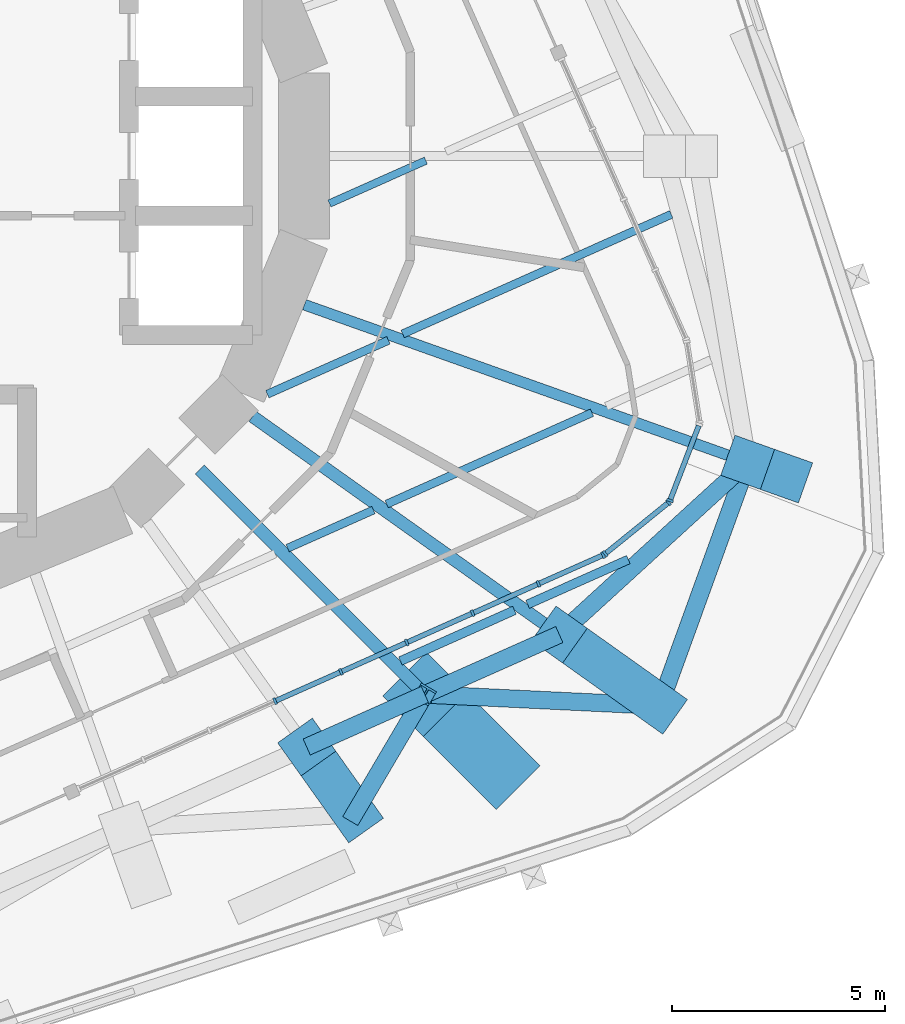
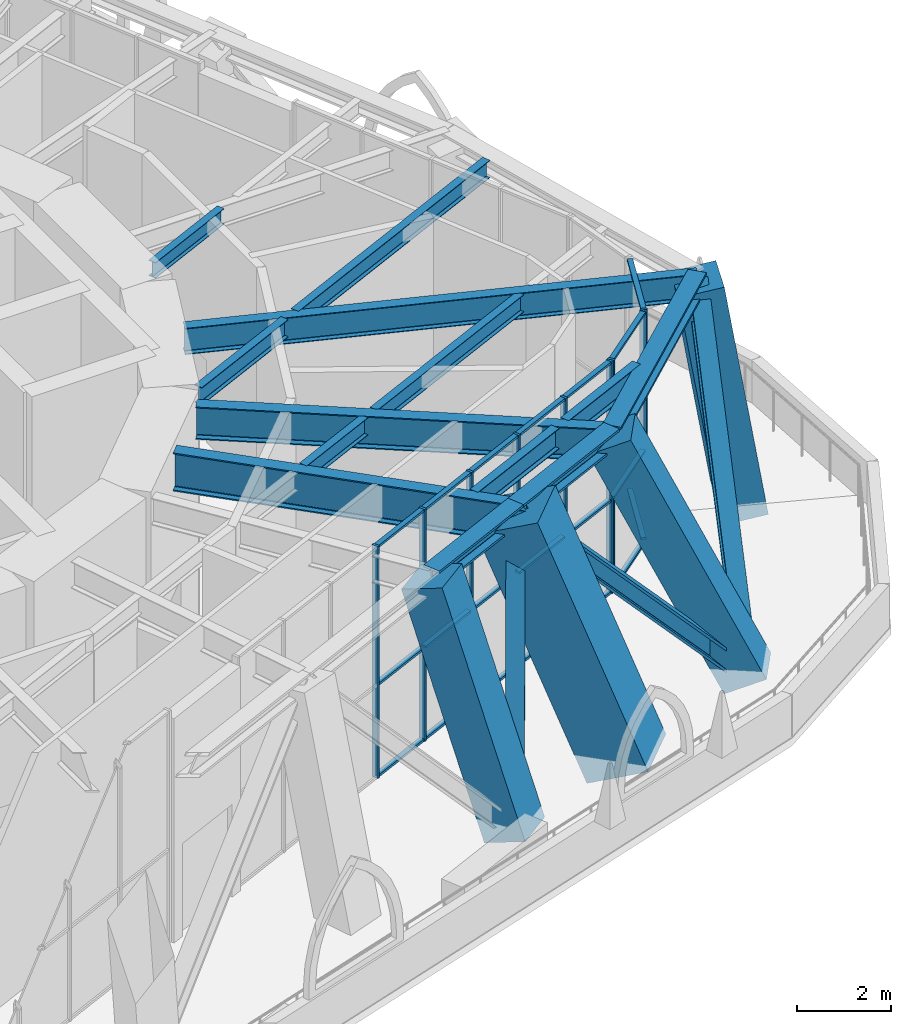
# One storey, part 5 of 18: 40 members, 10 beams, 3 elements without a shape of their own.
"""IFC4 building model written with IfcOpenShell, lengths in metres."""

from ifc_helpers import new_model, si_unit, direction, frame, origin, origin_2d, place, context, subcontext, project, spatial, rectangle, i_section, extrude, material, material_profile, profile_set, type_object, element, aggregate, save


model = new_model("IFC4")

# Units and contexts
model_context = context("Model", 3, precision=1e-05, world=origin(), true_north=direction((0.0, 1.0)))
body_context = subcontext(model_context, "Body", "Model", "MODEL_VIEW")
ifc_project = project(units=[si_unit("LENGTHUNIT", "METRE"), si_unit("AREAUNIT", "SQUARE_METRE"), si_unit("VOLUMEUNIT", "CUBIC_METRE"), si_unit("PLANEANGLEUNIT", "RADIAN"), si_unit("MASSUNIT", "GRAM", prefix="KILO")], contexts=[model_context])

# Site, building, storey
site_placement = place(None, origin())
site = spatial("IfcSite", under=ifc_project, at=site_placement, CompositionType="ELEMENT")
building_placement = place(site_placement, origin())
building = spatial("IfcBuilding", under=site, at=building_placement, Name="Nakasero Lantern House", CompositionType="ELEMENT")
storey_placement = place(building_placement, frame((0.0, 0.0, 176.449951171875)))
storey = spatial("IfcBuildingStorey", under=building, at=storey_placement, Name="L43", CompositionType="ELEMENT", Elevation=176.449951171875)

# Members
ifc_material_1 = material(Name="Steel S355", Category="steel")
ifc_material_profile_1 = material_profile(ifc_material_1, i_section(OverallWidth=0.412109375, OverallDepth=0.4365234375, WebThickness=0.035888671875, FlangeThickness=0.05810546875, FilletRadius=0.01513671875, at=origin_2d()), Name="UC 356x406x467")
ifc_profile_set_1 = profile_set([ifc_material_profile_1], Name="Steel S355")
member_type_1 = type_object("IfcMemberType", Name="Belt truss chord UC 356x406x467", PredefinedType="CHORD", material=ifc_profile_set_1)
member_1_placement = place(storey_placement, frame((15.808837890625, -11.241943359375, 5.581787109375), z_axis=(0.73802707447, 0.674771099966, 0.0), x_axis=(-0.674771099966, 0.73802707447, 0.0)))
element("IfcMember", 1, at=member_1_placement, inside=storey, type_object=member_type_1, Name="Belt truss top chord T4 B5-C01T", PredefinedType="CHORD", context=body_context, shape_type="SweptSolid", body=[
    extrude(i_section(OverallWidth=0.412109375, OverallDepth=0.4365234375, WebThickness=0.035888671875, FlangeThickness=0.05810546875, FilletRadius=0.01513671875, at=origin_2d()), origin(), (0.0, 0.0, 1.0), 5.997802734375),
])
member_2_placement = place(storey_placement, frame((9.87353515625, -13.884521484375, 5.581787109375), z_axis=(0.913556197925, 0.40671251915, 0.0), x_axis=(-0.40671251915, 0.913556197925, 0.0)))
element("IfcMember", 2, at=member_2_placement, inside=storey, type_object=member_type_1, Name="Belt truss top chord T4 B5-C23T", PredefinedType="CHORD", context=body_context, shape_type="SweptSolid", body=[
    extrude(i_section(OverallWidth=0.412109375, OverallDepth=0.4365234375, WebThickness=0.035888671875, FlangeThickness=0.05810546875, FilletRadius=0.01513671875, at=origin_2d()), origin(), (0.0, 0.0, 1.0), 3.0380859375),
])
member_3_placement = place(storey_placement, frame((12.64892578125, -12.64892578125, 5.581787109375), z_axis=(0.913534832457, 0.406760506795, 0.0), x_axis=(-0.406760506795, 0.913534832457, 0.0)))
element("IfcMember", 3, at=member_3_placement, inside=storey, type_object=member_type_1, Name="Belt truss top chord T4 B5-C24T", PredefinedType="CHORD", context=body_context, shape_type="SweptSolid", body=[
    extrude(i_section(OverallWidth=0.412109375, OverallDepth=0.4365234375, WebThickness=0.035888671875, FlangeThickness=0.05810546875, FilletRadius=0.01513671875, at=origin_2d()), origin(), (0.0, 0.0, 1.0), 3.458984375),
])
ifc_material_2 = material(Name="Steel S355", Category="steel")
ifc_material_profile_2 = material_profile(ifc_material_2, i_section(OverallWidth=0.412109375, OverallDepth=0.4365234375, WebThickness=0.035888671875, FlangeThickness=0.05810546875, FilletRadius=0.01513671875, at=origin_2d()), Name="UC 356x406x467")
ifc_profile_set_2 = profile_set([ifc_material_profile_2], Name="Steel S355")
member_type_2 = type_object("IfcMemberType", Name="Belt truss diagonal UC 356x406x467", PredefinedType="BRACE", material=ifc_profile_set_2)
member_4_placement = place(storey_placement, frame((18.1630859375, -12.916015625, -0.418212890625), z_axis=(0.242496640915, 0.669494142696, 0.702120340142), x_axis=(-0.940223769819, 0.340557282505, 0.0)))
element("IfcMember", 4, at=member_4_placement, inside=storey, type_object=member_type_2, Name="Belt truss diagonal T4-01", PredefinedType="BRACE", context=body_context, shape_type="SweptSolid", body=[
    extrude(i_section(OverallWidth=0.412109375, OverallDepth=0.4365234375, WebThickness=0.035888671875, FlangeThickness=0.05810546875, FilletRadius=0.01513671875, at=origin_2d()), origin(), (0.0, 0.0, 1.0), 8.545654296875),
])
member_5_placement = place(storey_placement, frame((10.993408203125, -15.45947265625, -0.418212890625), z_axis=(0.242412457526, 0.411539921993, 0.878561946047), x_axis=(-0.861631982797, 0.507533571521, 0.0)))
element("IfcMember", 5, at=member_5_placement, inside=storey, type_object=member_type_2, Name="Belt truss diagonal T4-23", PredefinedType="BRACE", context=body_context, shape_type="SweptSolid", body=[
    extrude(i_section(OverallWidth=0.412109375, OverallDepth=0.4365234375, WebThickness=0.035888671875, FlangeThickness=0.05810546875, FilletRadius=0.01513671875, at=origin_2d()), origin(), (0.0, 0.0, 1.0), 6.829345703125),
])
member_6_placement = place(storey_placement, frame((12.64892578125, -12.64892578125, 5.581787109375), z_axis=(0.676305146581, -0.032758249817, -0.735892822208), x_axis=(0.048380364344, 0.998828984534, 0.0)))
element("IfcMember", 6, at=member_6_placement, inside=storey, type_object=member_type_2, Name="Belt truss diagonal T4-24", PredefinedType="BRACE", context=body_context, shape_type="SweptSolid", body=[
    extrude(i_section(OverallWidth=0.412109375, OverallDepth=0.4365234375, WebThickness=0.035888671875, FlangeThickness=0.05810546875, FilletRadius=0.01513671875, at=origin_2d()), origin(), (0.0, 0.0, 1.0), 8.1533203125),
])

# Beams
ifc_material_3 = material(Name="Steel S355", Category="steel")
ifc_material_profile_3 = material_profile(ifc_material_3, i_section(OverallWidth=0.177978515625, OverallDepth=0.406494140625, WebThickness=0.0078125, FlangeThickness=0.0126953125, FilletRadius=0.01025390625, at=origin_2d()), Name="UB 406x178x60")
ifc_profile_set_3 = profile_set([ifc_material_profile_3], Name="Steel S355")
beam_type_1 = type_object("IfcBeamType", Name="Infill beam UB 406x178x60", PredefinedType="JOIST", material=ifc_profile_set_3)
beam_1_placement = place(storey_placement, frame((10.407958984375, -1.113037109375, 5.596923828125), z_axis=(0.913531019811, 0.406769069427, 0.0), x_axis=(-0.406769069427, 0.913531019811, 0.0)))
element("IfcBeam", 7, at=beam_1_placement, inside=storey, type_object=beam_type_1, Name="Infill beam L44 06.3", PredefinedType="JOIST", context=body_context, shape_type="SweptSolid", body=[
    extrude(i_section(OverallWidth=0.177978515625, OverallDepth=0.406494140625, WebThickness=0.0078125, FlangeThickness=0.0126953125, FilletRadius=0.01025390625, at=origin_2d()), origin(), (0.0, 0.0, 1.0), 2.478271484375),
])
ifc_material_4 = material(Name="Steel S355", Category="steel")
ifc_material_profile_4 = material_profile(ifc_material_4, i_section(OverallWidth=0.18994140625, OverallDepth=0.453369140625, WebThickness=0.008544921875, FlangeThickness=0.0126953125, FilletRadius=0.01025390625, at=origin_2d()), Name="UB 457x191x67")
ifc_profile_set_4 = profile_set([ifc_material_profile_4], Name="Steel S355")
beam_type_2 = type_object("IfcBeamType", Name="Infill beam UB 457x191x67", PredefinedType="JOIST", material=ifc_profile_set_4)
beam_2_placement = place(storey_placement, frame((9.425048828125, -9.212890625, 5.5732421875), z_axis=(0.913574167695, 0.406672153118, 0.0), x_axis=(-0.406672153118, 0.913574167695, 0.0)))
element("IfcBeam", 8, at=beam_2_placement, inside=storey, type_object=beam_type_2, Name="Infill beam L44 04.6", PredefinedType="JOIST", context=body_context, shape_type="SweptSolid", body=[
    extrude(i_section(OverallWidth=0.18994140625, OverallDepth=0.453369140625, WebThickness=0.008544921875, FlangeThickness=0.0126953125, FilletRadius=0.01025390625, at=origin_2d()), origin(), (0.0, 0.0, 1.0), 2.206787109375),
])
beam_3_placement = place(storey_placement, frame((11.75146484375, -8.17724609375, 5.5732421875), z_axis=(0.9135521585, 0.406721592371, 0.0), x_axis=(-0.406721592371, 0.9135521585, 0.0)))
element("IfcBeam", 9, at=beam_3_placement, inside=storey, type_object=beam_type_2, Name="Infill beam L44 04.7", PredefinedType="JOIST", context=body_context, shape_type="SweptSolid", body=[
    extrude(i_section(OverallWidth=0.18994140625, OverallDepth=0.453369140625, WebThickness=0.008544921875, FlangeThickness=0.0126953125, FilletRadius=0.01025390625, at=origin_2d()), origin(), (0.0, 0.0, 1.0), 5.2822265625),
])
ifc_material_5 = material(Name="Steel S355", Category="steel")
ifc_material_profile_5 = material_profile(ifc_material_5, i_section(OverallWidth=0.19140625, OverallDepth=0.4599609375, WebThickness=0.010009765625, FlangeThickness=0.01611328125, FilletRadius=0.01025390625, at=origin_2d()), Name="UB 457x191x82")
ifc_profile_set_5 = profile_set([ifc_material_profile_5], Name="Steel S355")
beam_type_3 = type_object("IfcBeamType", Name="Infill beam UB 457x191x82", PredefinedType="JOIST", material=ifc_profile_set_5)
beam_4_placement = place(storey_placement, frame((8.9482421875, -5.593994140625, 5.570068359375), z_axis=(0.913555928833, 0.406713123582, 0.0), x_axis=(-0.406713123582, 0.913555928833, 0.0)))
element("IfcBeam", 10, at=beam_4_placement, inside=storey, type_object=beam_type_3, Name="Infill beam L44 05.4", PredefinedType="JOIST", context=body_context, shape_type="SweptSolid", body=[
    extrude(i_section(OverallWidth=0.19140625, OverallDepth=0.4599609375, WebThickness=0.010009765625, FlangeThickness=0.01611328125, FilletRadius=0.01025390625, at=origin_2d()), origin(), (0.0, 0.0, 1.0), 3.113525390625),
])
beam_5_placement = place(storey_placement, frame((12.12890625, -4.177978515625, 5.570068359375), z_axis=(0.913544608814, 0.40673854957, 0.0), x_axis=(-0.40673854957, 0.913544608814, 0.0)))
element("IfcBeam", 11, at=beam_5_placement, inside=storey, type_object=beam_type_3, Name="Infill beam L44 05.5", PredefinedType="JOIST", context=body_context, shape_type="SweptSolid", body=[
    extrude(i_section(OverallWidth=0.19140625, OverallDepth=0.4599609375, WebThickness=0.010009765625, FlangeThickness=0.01611328125, FilletRadius=0.01025390625, at=origin_2d()), origin(), (0.0, 0.0, 1.0), 6.906982421875),
])
ifc_material_6 = material(Name="Steel S355", Category="steel")
ifc_material_profile_6 = material_profile(ifc_material_6, i_section(OverallWidth=0.2099609375, OverallDepth=0.53662109375, WebThickness=0.0107421875, FlangeThickness=0.017333984375, FilletRadius=0.0126953125, at=origin_2d()), Name="UB 533x210x101")
ifc_profile_set_6 = profile_set([ifc_material_profile_6], Name="Steel S355")
beam_type_4 = type_object("IfcBeamType", Name="Infill beam UB 533x210x101", PredefinedType="JOIST", material=ifc_profile_set_6)
beam_6_placement = place(storey_placement, frame((12.076171875, -11.864013671875, 5.53173828125), z_axis=(0.913519423207, 0.40679511234, 0.0), x_axis=(-0.40679511234, 0.913519423207, 0.0)))
element("IfcBeam", 12, at=beam_6_placement, inside=storey, type_object=beam_type_4, Name="Infill beam L44 03.2", PredefinedType="JOIST", context=body_context, shape_type="SweptSolid", body=[
    extrude(i_section(OverallWidth=0.2099609375, OverallDepth=0.53662109375, WebThickness=0.0107421875, FlangeThickness=0.017333984375, FilletRadius=0.0126953125, at=origin_2d()), origin(), (0.0, 0.0, 1.0), 2.931884765625),
])
beam_7_placement = place(storey_placement, frame((15.064697265625, -10.533203125, 5.53173828125), z_axis=(0.913570367557, 0.406680689881, 0.0), x_axis=(-0.406680689881, 0.913570367557, 0.0)))
element("IfcBeam", 13, at=beam_7_placement, inside=storey, type_object=beam_type_4, Name="Infill beam L44 03.3", PredefinedType="JOIST", context=body_context, shape_type="SweptSolid", body=[
    extrude(i_section(OverallWidth=0.2099609375, OverallDepth=0.53662109375, WebThickness=0.0107421875, FlangeThickness=0.017333984375, FilletRadius=0.0126953125, at=origin_2d()), origin(), (0.0, 0.0, 1.0), 2.58984375),
])

# Curtain wall, members
ifc_material_7 = material(Name="Aluminium 6063-T6 and glass", Category="aluminium")
curtain_wall_type = type_object("IfcCurtainWallType", Name="Sky lounge glazing CW-3", PredefinedType="USERDEFINED", material=ifc_material_7)
curtain_wall_1_placement = place(storey_placement, origin())
curtain_wall_1 = element("IfcCurtainWall", 14, at=curtain_wall_1_placement, inside=storey, type_object=curtain_wall_type, Name="Curtain wall CW-3 L43", ObjectType="STICK CURTAIN WALL", PredefinedType="USERDEFINED")
ifc_material_8 = material(Name="Aluminium 6063-T6", Category="aluminium")
ifc_material_profile_7 = material_profile(ifc_material_8, rectangle(XDim=0.06005859375, YDim=0.159912109375, at=origin_2d()), Name="CW-3 mullion 60x160")
ifc_profile_set_7 = profile_set([ifc_material_profile_7], Name="Aluminium 6063-T6")
member_type_3 = type_object("IfcMemberType", Name="Mullion CW-3", PredefinedType="MULLION", material=ifc_profile_set_7)
member_7_placement = place(storey_placement, frame((9.129638671875, -12.806884765625, 0.0), z_axis=(0.0, 0.0, 1.0), x_axis=(0.913545457643, 0.406736643076, 0.0)))
member_7 = element("IfcMember", 15, at=member_7_placement, type_object=member_type_3, Name="CW-3 mullion 4", PredefinedType="MULLION", context=body_context, shape_type="SweptSolid", body=[
    extrude(rectangle(XDim=0.06005859375, YDim=0.159912109375, at=origin_2d()), origin(), (0.0, 0.0, 1.0), 6.0),
])
member_8_placement = place(storey_placement, frame((10.677001953125, -12.117919921875, 0.0), z_axis=(0.0, 0.0, 1.0), x_axis=(0.913545457643, 0.406736643076, 0.0)))
member_8 = element("IfcMember", 16, at=member_8_placement, type_object=member_type_3, Name="CW-3 mullion 5", PredefinedType="MULLION", context=body_context, shape_type="SweptSolid", body=[
    extrude(rectangle(XDim=0.06005859375, YDim=0.159912109375, at=origin_2d()), origin(), (0.0, 0.0, 1.0), 6.0),
])
member_9_placement = place(storey_placement, frame((12.22412109375, -11.428955078125, 0.0), z_axis=(0.0, 0.0, 1.0), x_axis=(0.913545457643, 0.406736643076, 0.0)))
member_9 = element("IfcMember", 17, at=member_9_placement, type_object=member_type_3, Name="CW-3 mullion 6", PredefinedType="MULLION", context=body_context, shape_type="SweptSolid", body=[
    extrude(rectangle(XDim=0.06005859375, YDim=0.159912109375, at=origin_2d()), origin(), (0.0, 0.0, 1.0), 6.0),
])
member_10_placement = place(storey_placement, frame((13.771484375, -10.740234375, 0.0), z_axis=(0.0, 0.0, 1.0), x_axis=(0.913545457643, 0.406736643076, 0.0)))
member_10 = element("IfcMember", 18, at=member_10_placement, type_object=member_type_3, Name="CW-3 mullion 7", PredefinedType="MULLION", context=body_context, shape_type="SweptSolid", body=[
    extrude(rectangle(XDim=0.06005859375, YDim=0.159912109375, at=origin_2d()), origin(), (0.0, 0.0, 1.0), 6.0),
])
member_11_placement = place(storey_placement, frame((15.31884765625, -10.05126953125, 0.0), z_axis=(0.0, 0.0, 1.0), x_axis=(0.913545457643, 0.406736643076, 0.0)))
member_11 = element("IfcMember", 19, at=member_11_placement, type_object=member_type_3, Name="CW-3 mullion 8", PredefinedType="MULLION", context=body_context, shape_type="SweptSolid", body=[
    extrude(rectangle(XDim=0.06005859375, YDim=0.159912109375, at=origin_2d()), origin(), (0.0, 0.0, 1.0), 6.0),
])
member_12_placement = place(storey_placement, frame((16.8388671875, -9.37451171875, 0.0), z_axis=(0.0, 0.0, 1.0), x_axis=(0.913545457643, 0.406736643076, 0.0)))
member_12 = element("IfcMember", 20, at=member_12_placement, type_object=member_type_3, Name="CW-3 mullion 9", PredefinedType="MULLION", context=body_context, shape_type="SweptSolid", body=[
    extrude(rectangle(XDim=0.06005859375, YDim=0.159912109375, at=origin_2d()), origin(), (0.0, 0.0, 1.0), 6.0),
])

curtain_wall_2_placement = place(storey_placement, origin())
curtain_wall_2 = element("IfcCurtainWall", 21, at=curtain_wall_2_placement, inside=storey, type_object=curtain_wall_type, Name="Curtain wall CW-3 L43", ObjectType="STICK CURTAIN WALL", PredefinedType="USERDEFINED")
member_13_placement = place(storey_placement, frame((16.889404296875, -9.343505859375, 0.0), z_axis=(0.0, 0.0, 1.0), x_axis=(0.777145961457, 0.62932039105, 0.0)))
member_13 = element("IfcMember", 22, at=member_13_placement, type_object=member_type_3, Name="CW-3 mullion 1", PredefinedType="MULLION", context=body_context, shape_type="SweptSolid", body=[
    extrude(rectangle(XDim=0.06005859375, YDim=0.159912109375, at=origin_2d()), origin(), (0.0, 0.0, 1.0), 6.0),
])
member_14_placement = place(storey_placement, frame((18.376708984375, -8.13916015625, 0.0), z_axis=(0.0, 0.0, 1.0), x_axis=(0.777145961457, 0.62932039105, 0.0)))
member_14 = element("IfcMember", 23, at=member_14_placement, type_object=member_type_3, Name="CW-3 mullion 2", PredefinedType="MULLION", context=body_context, shape_type="SweptSolid", body=[
    extrude(rectangle(XDim=0.06005859375, YDim=0.159912109375, at=origin_2d()), origin(), (0.0, 0.0, 1.0), 6.0),
])

# Curtain wall, member
curtain_wall_3_placement = place(storey_placement, origin())
curtain_wall_3 = element("IfcCurtainWall", 24, at=curtain_wall_3_placement, inside=storey, type_object=curtain_wall_type, Name="Curtain wall CW-3 L43", ObjectType="STICK CURTAIN WALL", PredefinedType="USERDEFINED")
member_15_placement = place(storey_placement, frame((18.410888671875, -8.09228515625, 0.0), z_axis=(0.0, 0.0, 1.0), x_axis=(0.358367949545, 0.933580426497, 0.0)))
member_15 = element("IfcMember", 25, at=member_15_placement, type_object=member_type_3, Name="CW-3 mullion 1", PredefinedType="MULLION", context=body_context, shape_type="SweptSolid", body=[
    extrude(rectangle(XDim=0.06005859375, YDim=0.159912109375, at=origin_2d()), origin(), (0.0, 0.0, 1.0), 6.0),
])

# Beams
ifc_material_9 = material(Name="Steel S355", Category="steel")
ifc_material_profile_8 = material_profile(ifc_material_9, i_section(OverallWidth=0.300048828125, OverallDepth=0.989990234375, WebThickness=0.0166015625, FlangeThickness=0.031005859375, FilletRadius=0.030029296875, at=origin_2d()), Name="UB 1016x305x272")
ifc_profile_set_8 = profile_set([ifc_material_profile_8], Name="Steel S355")
beam_type_5 = type_object("IfcBeamType", Name="Primary beam UB 1016x305x272, span 6 to 9 m", PredefinedType="BEAM", material=ifc_profile_set_8)
beam_8_placement = place(storey_placement, frame((12.64892578125, -12.64892578125, 5.304931640625), z_axis=(-0.707106781187, 0.707106781187, 0.0), x_axis=(-0.707106781187, -0.707106781187, 0.0)))
element("IfcBeam", 26, at=beam_8_placement, inside=storey, type_object=beam_type_5, Name="Primary beam L44 B5-C24T", PredefinedType="BEAM", context=body_context, shape_type="SweptSolid", body=[
    extrude(i_section(OverallWidth=0.300048828125, OverallDepth=0.989990234375, WebThickness=0.0166015625, FlangeThickness=0.031005859375, FilletRadius=0.030029296875, at=origin_2d()), origin(), (0.0, 0.0, 1.0), 7.48046875),
])
ifc_material_10 = material(Name="Steel S355", Category="steel")
ifc_material_profile_9 = material_profile(ifc_material_10, i_section(OverallWidth=0.253662109375, OverallDepth=0.68359375, WebThickness=0.012451171875, FlangeThickness=0.01904296875, FilletRadius=0.01513671875, at=origin_2d()), Name="UB 686x254x140")
ifc_profile_set_9 = profile_set([ifc_material_profile_9], Name="Steel S355")
beam_type_6 = type_object("IfcBeamType", Name="Primary beam UB 686x254x140, span 9 to 12 m", PredefinedType="BEAM", material=ifc_profile_set_9)
beam_9_placement = place(storey_placement, frame((20.2353515625, -7.19482421875, 5.458251953125), z_axis=(-0.942210662535, 0.335020995468, 0.0), x_axis=(-0.335020995468, -0.942210662535, 0.0)))
element("IfcBeam", 27, at=beam_9_placement, inside=storey, type_object=beam_type_6, Name="Primary beam L44 B5-C02T", PredefinedType="BEAM", context=body_context, shape_type="SweptSolid", body=[
    extrude(i_section(OverallWidth=0.253662109375, OverallDepth=0.68359375, WebThickness=0.012451171875, FlangeThickness=0.01904296875, FilletRadius=0.01513671875, at=origin_2d()), origin(), (0.0, 0.0, 1.0), 11.054931640625),
])
ifc_material_11 = material(Name="Steel S355", Category="steel")
ifc_material_profile_10 = material_profile(ifc_material_11, i_section(OverallWidth=0.29248046875, OverallDepth=0.8408203125, WebThickness=0.0146484375, FlangeThickness=0.02685546875, FilletRadius=0.017822265625, at=origin_2d()), Name="UB 838x292x194")
ifc_profile_set_10 = profile_set([ifc_material_profile_10], Name="Steel S355")
beam_type_7 = type_object("IfcBeamType", Name="Primary beam UB 838x292x194, span 6 to 9 m", PredefinedType="BEAM", material=ifc_profile_set_10)
beam_10_placement = place(storey_placement, frame((15.808837890625, -11.241943359375, 5.379638671875), z_axis=(-0.814946052543, 0.579536824926, 0.0), x_axis=(-0.579536824926, -0.814946052543, 0.0)))
element("IfcBeam", 28, at=beam_10_placement, inside=storey, type_object=beam_type_7, Name="Primary beam L44 B5-C01T", PredefinedType="BEAM", context=body_context, shape_type="SweptSolid", body=[
    extrude(i_section(OverallWidth=0.29248046875, OverallDepth=0.8408203125, WebThickness=0.0146484375, FlangeThickness=0.02685546875, FilletRadius=0.017822265625, at=origin_2d()), origin(), (0.0, 0.0, 1.0), 8.84326171875),
])

# Members
ifc_material_12 = material(Name="Concrete C50/60", Category="concrete")
ifc_material_profile_11 = material_profile(ifc_material_12, rectangle(XDim=1.0, YDim=1.0, at=origin_2d()), Name="RC 1000x1000")
ifc_profile_set_11 = profile_set([ifc_material_profile_11], Name="Concrete C50/60")
member_type_4 = type_object("IfcMemberType", Name="Raking column RC 1000x1000 C50/60", PredefinedType="STRUT", material=ifc_profile_set_11)
member_16_placement = place(storey_placement, frame((18.1630859375, -12.916015625, -0.418212890625), z_axis=(-0.353532936259, 0.251392237263, 0.901008549362), x_axis=(-0.57951006563, -0.814965081358, 0.0)))
element("IfcMember", 29, at=member_16_placement, inside=storey, type_object=member_type_4, Name="Raking column B5-C01T L43", PredefinedType="STRUT", context=body_context, shape_type="SweptSolid", body=[
    extrude(rectangle(XDim=1.0, YDim=1.0, at=origin_2d()), origin(), (0.0, 0.0, 1.0), 6.6591796875),
])
member_17_placement = place(storey_placement, frame((21.129638671875, -7.5126953125, -0.418212890625), z_axis=(-0.147217395485, 0.052327886683, 0.987719003939), x_axis=(-0.334918320476, -0.942247164288, 0.0)))
element("IfcMember", 30, at=member_17_placement, inside=storey, type_object=member_type_4, Name="Raking column B5-C02T L43", PredefinedType="STRUT", context=body_context, shape_type="SweptSolid", body=[
    extrude(rectangle(XDim=1.0, YDim=1.0, at=origin_2d()), origin(), (0.0, 0.0, 1.0), 6.07470703125),
])
member_18_placement = place(storey_placement, frame((10.993408203125, -15.45947265625, -0.418212890625), z_axis=(-0.177657866113, 0.249851949923, 0.951846461215), x_axis=(-0.814977864281, -0.579492088584, 0.0)))
element("IfcMember", 31, at=member_18_placement, inside=storey, type_object=member_type_4, Name="Raking column B5-C23T L43", PredefinedType="STRUT", context=body_context, shape_type="SweptSolid", body=[
    extrude(rectangle(XDim=1.0, YDim=1.0, at=origin_2d()), origin(), (0.0, 0.0, 1.0), 6.303466796875),
])
ifc_material_13 = material(Name="Concrete C50/60", Category="concrete")
ifc_material_profile_12 = material_profile(ifc_material_13, rectangle(XDim=1.449951171875, YDim=1.449951171875, at=origin_2d()), Name="RC 1450x1450")
ifc_profile_set_12 = profile_set([ifc_material_profile_12], Name="Concrete C50/60")
member_type_5 = type_object("IfcMemberType", Name="Raking column RC 1450x1450 C50/60", PredefinedType="STRUT", material=ifc_profile_set_12)
member_19_placement = place(storey_placement, frame((14.3642578125, -14.3642578125, -0.418212890625), z_axis=(-0.265045446848, 0.265045446848, 0.927093211177), x_axis=(-0.707106781187, -0.707106781187, 0.0)))
element("IfcMember", 32, at=member_19_placement, inside=storey, type_object=member_type_5, Name="Raking column B5-C24T L43", PredefinedType="STRUT", context=body_context, shape_type="SweptSolid", body=[
    extrude(rectangle(XDim=1.449951171875, YDim=1.449951171875, at=origin_2d()), origin(), (0.0, 0.0, 1.0), 6.471923828125),
])

# Member
ifc_material_14 = material(Name="Aluminium 6063-T6", Category="aluminium")
ifc_material_profile_13 = material_profile(ifc_material_14, rectangle(XDim=0.06005859375, YDim=0.1201171875, at=origin_2d()), Name="CW-3 transom 60x120")
ifc_profile_set_13 = profile_set([ifc_material_profile_13], Name="Aluminium 6063-T6")
member_type_6 = type_object("IfcMemberType", Name="Transom CW-3", PredefinedType="USERDEFINED", material=ifc_profile_set_13)
member_20_placement = place(storey_placement, frame((9.156982421875, -12.794677734375, 0.030029296875), z_axis=(0.913527851865, 0.406776183997, 0.0), x_axis=(0.0, 0.0, 1.0)))
member_20 = element("IfcMember", 33, at=member_20_placement, type_object=member_type_6, Name="CW-3 transom 4.1", ObjectType="TRANSOM", PredefinedType="USERDEFINED", context=body_context, shape_type="SweptSolid", body=[
    extrude(rectangle(XDim=0.06005859375, YDim=0.1201171875, at=origin_2d()), origin(), (0.0, 0.0, 1.0), 1.6337890625),
])

member_21_placement = place(storey_placement, frame((9.156982421875, -12.794677734375, 2.400146484375), z_axis=(0.913527851865, 0.406776183997, 0.0), x_axis=(0.0, 0.0, 1.0)))
member_21 = element("IfcMember", 34, at=member_21_placement, type_object=member_type_6, Name="CW-3 transom 4.2", ObjectType="TRANSOM", PredefinedType="USERDEFINED", context=body_context, shape_type="SweptSolid", body=[
    extrude(rectangle(XDim=0.06005859375, YDim=0.1201171875, at=origin_2d()), origin(), (0.0, 0.0, 1.0), 1.6337890625),
])

member_22_placement = place(storey_placement, frame((9.156982421875, -12.794677734375, 5.969970703125), z_axis=(0.913527851865, 0.406776183997, 0.0), x_axis=(0.0, 0.0, 1.0)))
member_22 = element("IfcMember", 35, at=member_22_placement, type_object=member_type_6, Name="CW-3 transom 4.3", ObjectType="TRANSOM", PredefinedType="USERDEFINED", context=body_context, shape_type="SweptSolid", body=[
    extrude(rectangle(XDim=0.06005859375, YDim=0.1201171875, at=origin_2d()), origin(), (0.0, 0.0, 1.0), 1.6337890625),
])

member_23_placement = place(storey_placement, frame((10.704345703125, -12.105712890625, 0.030029296875), z_axis=(0.913527851865, 0.406776183997, 0.0), x_axis=(0.0, 0.0, 1.0)))
member_23 = element("IfcMember", 36, at=member_23_placement, type_object=member_type_6, Name="CW-3 transom 5.1", ObjectType="TRANSOM", PredefinedType="USERDEFINED", context=body_context, shape_type="SweptSolid", body=[
    extrude(rectangle(XDim=0.06005859375, YDim=0.1201171875, at=origin_2d()), origin(), (0.0, 0.0, 1.0), 1.6337890625),
])

member_24_placement = place(storey_placement, frame((10.704345703125, -12.105712890625, 2.400146484375), z_axis=(0.913527851865, 0.406776183997, 0.0), x_axis=(0.0, 0.0, 1.0)))
member_24 = element("IfcMember", 37, at=member_24_placement, type_object=member_type_6, Name="CW-3 transom 5.2", ObjectType="TRANSOM", PredefinedType="USERDEFINED", context=body_context, shape_type="SweptSolid", body=[
    extrude(rectangle(XDim=0.06005859375, YDim=0.1201171875, at=origin_2d()), origin(), (0.0, 0.0, 1.0), 1.6337890625),
])

member_25_placement = place(storey_placement, frame((10.704345703125, -12.105712890625, 5.969970703125), z_axis=(0.913527851865, 0.406776183997, 0.0), x_axis=(0.0, 0.0, 1.0)))
member_25 = element("IfcMember", 38, at=member_25_placement, type_object=member_type_6, Name="CW-3 transom 5.3", ObjectType="TRANSOM", PredefinedType="USERDEFINED", context=body_context, shape_type="SweptSolid", body=[
    extrude(rectangle(XDim=0.06005859375, YDim=0.1201171875, at=origin_2d()), origin(), (0.0, 0.0, 1.0), 1.6337890625),
])

member_26_placement = place(storey_placement, frame((12.251708984375, -11.416748046875, 0.030029296875), z_axis=(0.913583378904, 0.40665145984, 0.0), x_axis=(0.0, 0.0, 1.0)))
member_26 = element("IfcMember", 39, at=member_26_placement, type_object=member_type_6, Name="CW-3 transom 6.1", ObjectType="TRANSOM", PredefinedType="USERDEFINED", context=body_context, shape_type="SweptSolid", body=[
    extrude(rectangle(XDim=0.06005859375, YDim=0.1201171875, at=origin_2d()), origin(), (0.0, 0.0, 1.0), 1.633544921875),
])

member_27_placement = place(storey_placement, frame((12.251708984375, -11.416748046875, 2.400146484375), z_axis=(0.913583378904, 0.40665145984, 0.0), x_axis=(0.0, 0.0, 1.0)))
member_27 = element("IfcMember", 40, at=member_27_placement, type_object=member_type_6, Name="CW-3 transom 6.2", ObjectType="TRANSOM", PredefinedType="USERDEFINED", context=body_context, shape_type="SweptSolid", body=[
    extrude(rectangle(XDim=0.06005859375, YDim=0.1201171875, at=origin_2d()), origin(), (0.0, 0.0, 1.0), 1.633544921875),
])

member_28_placement = place(storey_placement, frame((12.251708984375, -11.416748046875, 5.969970703125), z_axis=(0.913583378904, 0.40665145984, 0.0), x_axis=(0.0, 0.0, 1.0)))
member_28 = element("IfcMember", 41, at=member_28_placement, type_object=member_type_6, Name="CW-3 transom 6.3", ObjectType="TRANSOM", PredefinedType="USERDEFINED", context=body_context, shape_type="SweptSolid", body=[
    extrude(rectangle(XDim=0.06005859375, YDim=0.1201171875, at=origin_2d()), origin(), (0.0, 0.0, 1.0), 1.633544921875),
])

member_29_placement = place(storey_placement, frame((13.798828125, -10.72802734375, 0.030029296875), z_axis=(0.913552574201, 0.406720658648, 0.0), x_axis=(0.0, 0.0, 1.0)))
member_29 = element("IfcMember", 42, at=member_29_placement, type_object=member_type_6, Name="CW-3 transom 7.1", ObjectType="TRANSOM", PredefinedType="USERDEFINED", context=body_context, shape_type="SweptSolid", body=[
    extrude(rectangle(XDim=0.06005859375, YDim=0.1201171875, at=origin_2d()), origin(), (0.0, 0.0, 1.0), 1.634033203125),
])

member_30_placement = place(storey_placement, frame((13.798828125, -10.72802734375, 2.400146484375), z_axis=(0.913552574201, 0.406720658648, 0.0), x_axis=(0.0, 0.0, 1.0)))
member_30 = element("IfcMember", 43, at=member_30_placement, type_object=member_type_6, Name="CW-3 transom 7.2", ObjectType="TRANSOM", PredefinedType="USERDEFINED", context=body_context, shape_type="SweptSolid", body=[
    extrude(rectangle(XDim=0.06005859375, YDim=0.1201171875, at=origin_2d()), origin(), (0.0, 0.0, 1.0), 1.634033203125),
])

member_31_placement = place(storey_placement, frame((13.798828125, -10.72802734375, 5.969970703125), z_axis=(0.913552574201, 0.406720658648, 0.0), x_axis=(0.0, 0.0, 1.0)))
member_31 = element("IfcMember", 44, at=member_31_placement, type_object=member_type_6, Name="CW-3 transom 7.3", ObjectType="TRANSOM", PredefinedType="USERDEFINED", context=body_context, shape_type="SweptSolid", body=[
    extrude(rectangle(XDim=0.06005859375, YDim=0.1201171875, at=origin_2d()), origin(), (0.0, 0.0, 1.0), 1.634033203125),
])

member_32_placement = place(storey_placement, frame((15.34619140625, -10.0390625, 0.030029296875), z_axis=(0.91353512528, 0.40675984915, 0.0), x_axis=(0.0, 0.0, 1.0)))
member_32 = element("IfcMember", 45, at=member_32_placement, type_object=member_type_6, Name="CW-3 transom 8.1", ObjectType="TRANSOM", PredefinedType="USERDEFINED", context=body_context, shape_type="SweptSolid", body=[
    extrude(rectangle(XDim=0.06005859375, YDim=0.1201171875, at=origin_2d()), origin(), (0.0, 0.0, 1.0), 1.603759765625),
])

member_33_placement = place(storey_placement, frame((15.34619140625, -10.0390625, 2.400146484375), z_axis=(0.91353512528, 0.40675984915, 0.0), x_axis=(0.0, 0.0, 1.0)))
member_33 = element("IfcMember", 46, at=member_33_placement, type_object=member_type_6, Name="CW-3 transom 8.2", ObjectType="TRANSOM", PredefinedType="USERDEFINED", context=body_context, shape_type="SweptSolid", body=[
    extrude(rectangle(XDim=0.06005859375, YDim=0.1201171875, at=origin_2d()), origin(), (0.0, 0.0, 1.0), 1.603759765625),
])

member_34_placement = place(storey_placement, frame((15.34619140625, -10.0390625, 5.969970703125), z_axis=(0.91353512528, 0.40675984915, 0.0), x_axis=(0.0, 0.0, 1.0)))
member_34 = element("IfcMember", 47, at=member_34_placement, type_object=member_type_6, Name="CW-3 transom 8.3", ObjectType="TRANSOM", PredefinedType="USERDEFINED", context=body_context, shape_type="SweptSolid", body=[
    extrude(rectangle(XDim=0.06005859375, YDim=0.1201171875, at=origin_2d()), origin(), (0.0, 0.0, 1.0), 1.603759765625),
])

aggregate(curtain_wall_1, [member_7, member_8, member_9, member_10, member_11, member_12, member_20, member_21, member_22, member_23, member_24, member_25, member_26, member_27, member_28, member_29, member_30, member_31, member_32, member_33, member_34])

member_35_placement = place(storey_placement, frame((16.912841796875, -9.324462890625, 0.030029296875), z_axis=(0.777180458368, 0.629277788525, 0.0), x_axis=(0.0, 0.0, 1.0)))
member_35 = element("IfcMember", 48, at=member_35_placement, type_object=member_type_6, Name="CW-3 transom 1.1", ObjectType="TRANSOM", PredefinedType="USERDEFINED", context=body_context, shape_type="SweptSolid", body=[
    extrude(rectangle(XDim=0.06005859375, YDim=0.1201171875, at=origin_2d()), origin(), (0.0, 0.0, 1.0), 1.853759765625),
])

member_36_placement = place(storey_placement, frame((16.912841796875, -9.324462890625, 2.400146484375), z_axis=(0.777180458368, 0.629277788525, 0.0), x_axis=(0.0, 0.0, 1.0)))
member_36 = element("IfcMember", 49, at=member_36_placement, type_object=member_type_6, Name="CW-3 transom 1.2", ObjectType="TRANSOM", PredefinedType="USERDEFINED", context=body_context, shape_type="SweptSolid", body=[
    extrude(rectangle(XDim=0.06005859375, YDim=0.1201171875, at=origin_2d()), origin(), (0.0, 0.0, 1.0), 1.853759765625),
])

member_37_placement = place(storey_placement, frame((16.912841796875, -9.324462890625, 5.969970703125), z_axis=(0.777180458368, 0.629277788525, 0.0), x_axis=(0.0, 0.0, 1.0)))
member_37 = element("IfcMember", 50, at=member_37_placement, type_object=member_type_6, Name="CW-3 transom 1.3", ObjectType="TRANSOM", PredefinedType="USERDEFINED", context=body_context, shape_type="SweptSolid", body=[
    extrude(rectangle(XDim=0.06005859375, YDim=0.1201171875, at=origin_2d()), origin(), (0.0, 0.0, 1.0), 1.853759765625),
])

aggregate(curtain_wall_2, [member_13, member_14, member_35, member_36, member_37])

member_38_placement = place(storey_placement, frame((18.421630859375, -8.064208984375, 0.030029296875), z_axis=(0.358343599024, 0.933589773422, 0.0), x_axis=(0.0, 0.0, 1.0)))
member_38 = element("IfcMember", 51, at=member_38_placement, type_object=member_type_6, Name="CW-3 transom 1.1", ObjectType="TRANSOM", PredefinedType="USERDEFINED", context=body_context, shape_type="SweptSolid", body=[
    extrude(rectangle(XDim=0.06005859375, YDim=0.1201171875, at=origin_2d()), origin(), (0.0, 0.0, 1.0), 1.853759765625),
])

member_39_placement = place(storey_placement, frame((18.421630859375, -8.064208984375, 2.400146484375), z_axis=(0.358343599024, 0.933589773422, 0.0), x_axis=(0.0, 0.0, 1.0)))
member_39 = element("IfcMember", 52, at=member_39_placement, type_object=member_type_6, Name="CW-3 transom 1.2", ObjectType="TRANSOM", PredefinedType="USERDEFINED", context=body_context, shape_type="SweptSolid", body=[
    extrude(rectangle(XDim=0.06005859375, YDim=0.1201171875, at=origin_2d()), origin(), (0.0, 0.0, 1.0), 1.853759765625),
])

member_40_placement = place(storey_placement, frame((18.421630859375, -8.064208984375, 5.969970703125), z_axis=(0.358343599024, 0.933589773422, 0.0), x_axis=(0.0, 0.0, 1.0)))
member_40 = element("IfcMember", 53, at=member_40_placement, type_object=member_type_6, Name="CW-3 transom 1.3", ObjectType="TRANSOM", PredefinedType="USERDEFINED", context=body_context, shape_type="SweptSolid", body=[
    extrude(rectangle(XDim=0.06005859375, YDim=0.1201171875, at=origin_2d()), origin(), (0.0, 0.0, 1.0), 1.853759765625),
])

aggregate(curtain_wall_3, [member_15, member_38, member_39, member_40])

save(model, "model.ifc")
